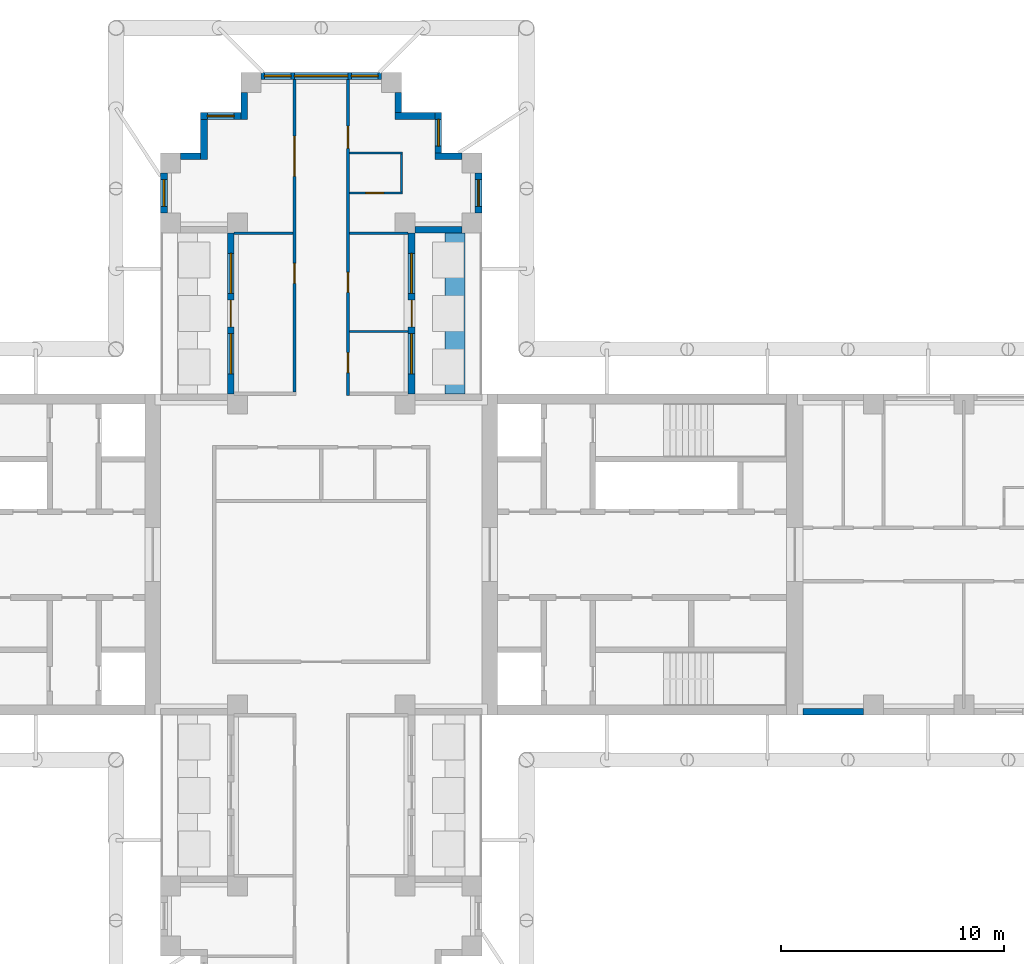
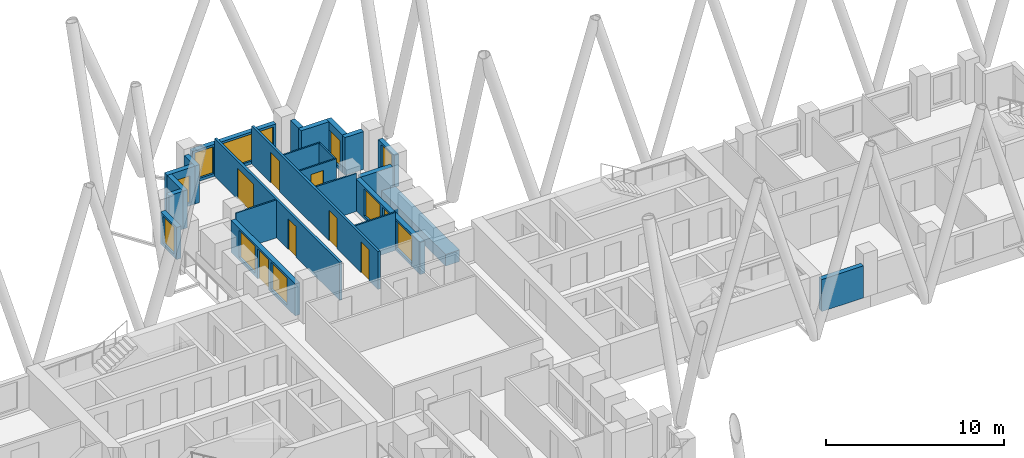
# One storey, part 7 of 12: 24 walls, 11 windows, 8 doors, 19 openings.
"""IFC4 building model written with IfcOpenShell, lengths in metres."""

from ifc_helpers import new_model, si_unit, direction, frame, frame_2d, origin, place, context, subcontext, project, spatial, rectangle, extrude, material, layer, layer_set, type_object, element, fill, save


model = new_model("IFC4")

# Units and contexts
model_context = context("Model", 3, precision=1e-05, world=origin(), true_north=direction((0.0, 1.0)))
body_context = subcontext(model_context, "Body", "Model", "MODEL_VIEW")
ifc_project = project(units=[si_unit("LENGTHUNIT", "METRE"), si_unit("AREAUNIT", "SQUARE_METRE"), si_unit("VOLUMEUNIT", "CUBIC_METRE"), si_unit("PLANEANGLEUNIT", "RADIAN"), si_unit("MASSUNIT", "GRAM", prefix="KILO")], contexts=[model_context])

# Site, building, storey
site_placement = place(None, origin())
site = spatial("IfcSite", under=ifc_project, at=site_placement, CompositionType="ELEMENT")
building_placement = place(site_placement, origin())
building = spatial("IfcBuilding", under=site, at=building_placement, Name="Fustian Cross Tower", CompositionType="ELEMENT")
storey_placement = place(building_placement, frame((0.0, 0.0, 141.300048828125)))
storey = spatial("IfcBuildingStorey", under=building, at=storey_placement, Name="L44", CompositionType="ELEMENT", Elevation=141.300048828125)

# Wall, openings, doors
ifc_material_1 = material(Name="Plasterboard on steel stud", Category="steel")
ifc_layer_1 = layer(ifc_material_1, 0.14990234375)
ifc_layer_set_1 = layer_set([ifc_layer_1], Name="Plasterboard on steel stud")
wall_type_1 = type_object("IfcWallType", Name="COMPARTMENT WALL 150 EI 60", PredefinedType="PARTITIONING", material=ifc_layer_set_1)
wall_1_placement = place(storey_placement, frame((-1.199951171875, 7.27490234375, 0.0), z_axis=(0.0, 0.0, 1.0), x_axis=(0.0, 1.0, 0.0)))
wall_1 = element("IfcWall", 1, at=wall_1_placement, inside=storey, type_object=wall_type_1, Name="Partition 21", PredefinedType="PARTITIONING", context=body_context, shape_type="SweptSolid", body=[
    extrude(rectangle(XDim=14.025146484375, YDim=0.14990234375, at=frame_2d((7.0126953125, 0.0))), origin(), (0.0, 0.0, 1.0), 2.599853515625),
])
opening_1_placement = place(wall_1_placement, frame((4.875, 0.0, 0.0)))
opening_1 = element("IfcOpeningElement", 2, at=opening_1_placement, cuts=wall_1, Name="Opening D20014", PredefinedType="OPENING", context=body_context, shape_type="SweptSolid", body=[
    extrude(rectangle(XDim=0.89990234375, YDim=2.10009765625, at=frame_2d((0.449951171875, 1.050048828125))), frame((0.0, 0.0849609375, 0.0), z_axis=(0.0, -1.0, 0.0), x_axis=(1.0, 0.0, 0.0)), (0.0, 0.0, 1.0), 0.169921875),
])
opening_2_placement = place(wall_1_placement, frame((9.675048828125, 0.0, 0.0)))
opening_2 = element("IfcOpeningElement", 3, at=opening_2_placement, cuts=wall_1, Name="Opening D20015", PredefinedType="OPENING", context=body_context, shape_type="SweptSolid", body=[
    extrude(rectangle(XDim=1.800048828125, YDim=2.10009765625, at=frame_2d((0.89990234375, 1.050048828125))), frame((0.0, 0.0849609375, 0.0), z_axis=(0.0, -1.0, 0.0), x_axis=(1.0, 0.0, 0.0)), (0.0, 0.0, 1.0), 0.169921875),
])
ifc_material_2 = material(Name="Timber fire door set", Category="wood")
door_type_1 = type_object("IfcDoorType", Name="FIRE DOUBLE DOOR 1800 FD30S", OperationType="DOUBLE_DOOR_DOUBLE_SWING", PredefinedType="DOOR", material=ifc_material_2)
door_1_placement = place(opening_2_placement, frame((1.800048828125, 0.0, 0.0), z_axis=(0.0, 0.0, 1.0), x_axis=(-1.0, 0.0, 0.0)))
door_1 = element("IfcDoor", 4, at=door_1_placement, inside=storey, type_object=door_type_1, Name="Door D20015", OperationType="DOUBLE_DOOR_DOUBLE_SWING", OverallHeight=2.10009765625, OverallWidth=1.800048828125, PredefinedType="DOOR", context=body_context, shape_type="SweptSolid", body=[
    extrude(rectangle(XDim=1.800048828125, YDim=2.10009765625, at=frame_2d((0.89990234375, 1.050048828125))), frame((0.0, 0.02490234375, 0.0), z_axis=(0.0, -1.0, 0.0), x_axis=(1.0, 0.0, 0.0)), (0.0, 0.0, 1.0), 0.050048828125),
])
fill(opening_2, door_1)
ifc_material_3 = material(Name="Timber fire door set", Category="wood")
door_type_2 = type_object("IfcDoorType", Name="FIRE SWING DOOR 900 FD30S", OperationType="SINGLE_SWING_LEFT", PredefinedType="DOOR", material=ifc_material_3)
door_2_placement = place(opening_1_placement, origin())
door_2 = element("IfcDoor", 5, at=door_2_placement, inside=storey, type_object=door_type_2, Name="Door D20014", OperationType="SINGLE_SWING_RIGHT", OverallHeight=2.10009765625, OverallWidth=0.89990234375, PredefinedType="DOOR", context=body_context, shape_type="SweptSolid", body=[
    extrude(rectangle(XDim=0.89990234375, YDim=2.10009765625, at=frame_2d((0.449951171875, 1.050048828125))), frame((0.0, 0.02490234375, 0.0), z_axis=(0.0, -1.0, 0.0), x_axis=(1.0, 0.0, 0.0)), (0.0, 0.0, 1.0), 0.050048828125),
])
fill(opening_1, door_2)

wall_2_placement = place(storey_placement, frame((1.199951171875, 7.125, 0.0), z_axis=(0.0, 0.0, 1.0), x_axis=(0.0, 1.0, 0.0)))
wall_2 = element("IfcWall", 6, at=wall_2_placement, inside=storey, type_object=wall_type_1, Name="Partition 27", PredefinedType="PARTITIONING", context=body_context, shape_type="SweptSolid", body=[
    extrude(rectangle(XDim=14.175048828125, YDim=0.14990234375, at=frame_2d((7.08740234375, 0.0))), origin(), (0.0, 0.0, 1.0), 2.599853515625),
])
opening_3_placement = place(wall_2_placement, frame((1.02490234375, 0.0, 0.0)))
opening_3 = element("IfcOpeningElement", 7, at=opening_3_placement, cuts=wall_2, Name="Opening D20016", PredefinedType="OPENING", context=body_context, shape_type="SweptSolid", body=[
    extrude(rectangle(XDim=0.89990234375, YDim=2.10009765625, at=frame_2d((0.449951171875, 1.050048828125))), frame((0.0, 0.0849609375, 0.0), z_axis=(0.0, -1.0, 0.0), x_axis=(1.0, 0.0, 0.0)), (0.0, 0.0, 1.0), 0.169921875),
])
opening_4_placement = place(wall_2_placement, frame((4.625, 0.0, 0.0)))
opening_4 = element("IfcOpeningElement", 8, at=opening_4_placement, cuts=wall_2, Name="Opening D20017", PredefinedType="OPENING", context=body_context, shape_type="SweptSolid", body=[
    extrude(rectangle(XDim=0.89990234375, YDim=2.10009765625, at=frame_2d((0.449951171875, 1.050048828125))), frame((0.0, 0.0849609375, 0.0), z_axis=(0.0, -1.0, 0.0), x_axis=(1.0, 0.0, 0.0)), (0.0, 0.0, 1.0), 0.169921875),
])
opening_5_placement = place(wall_2_placement, frame((11.074951171875, 0.0, 0.0)))
opening_5 = element("IfcOpeningElement", 9, at=opening_5_placement, cuts=wall_2, Name="Opening D20019", PredefinedType="OPENING", context=body_context, shape_type="SweptSolid", body=[
    extrude(rectangle(XDim=1.0, YDim=2.10009765625, at=frame_2d((0.5, 1.050048828125))), frame((0.0, 0.0849609375, 0.0), z_axis=(0.0, -1.0, 0.0), x_axis=(1.0, 0.0, 0.0)), (0.0, 0.0, 1.0), 0.169921875),
])
ifc_material_4 = material(Name="Timber fire door set", Category="wood")
door_type_3 = type_object("IfcDoorType", Name="FIRE SWING DOOR 1000 FD30S", OperationType="SINGLE_SWING_LEFT", PredefinedType="DOOR", material=ifc_material_4)
door_3_placement = place(opening_5_placement, frame((1.0, 0.0, 0.0), z_axis=(0.0, 0.0, 1.0), x_axis=(-1.0, 0.0, 0.0)))
door_3 = element("IfcDoor", 10, at=door_3_placement, inside=storey, type_object=door_type_3, Name="Door D20019", OperationType="SINGLE_SWING_RIGHT", OverallHeight=2.10009765625, OverallWidth=1.0, PredefinedType="DOOR", context=body_context, shape_type="SweptSolid", body=[
    extrude(rectangle(XDim=1.0, YDim=2.10009765625, at=frame_2d((0.5, 1.050048828125))), frame((0.0, 0.02490234375, 0.0), z_axis=(0.0, -1.0, 0.0), x_axis=(1.0, 0.0, 0.0)), (0.0, 0.0, 1.0), 0.050048828125),
])
fill(opening_5, door_3)
door_4_placement = place(opening_3_placement, frame((0.89990234375, 0.0, 0.0), z_axis=(0.0, 0.0, 1.0), x_axis=(-1.0, 0.0, 0.0)))
door_4 = element("IfcDoor", 11, at=door_4_placement, inside=storey, type_object=door_type_2, Name="Door D20016", OperationType="SINGLE_SWING_RIGHT", OverallHeight=2.10009765625, OverallWidth=0.89990234375, PredefinedType="DOOR", context=body_context, shape_type="SweptSolid", body=[
    extrude(rectangle(XDim=0.89990234375, YDim=2.10009765625, at=frame_2d((0.449951171875, 1.050048828125))), frame((0.0, 0.02490234375, 0.0), z_axis=(0.0, -1.0, 0.0), x_axis=(1.0, 0.0, 0.0)), (0.0, 0.0, 1.0), 0.050048828125),
])
fill(opening_3, door_4)
door_5_placement = place(opening_4_placement, frame((0.89990234375, 0.0, 0.0), z_axis=(0.0, 0.0, 1.0), x_axis=(-1.0, 0.0, 0.0)))
door_5 = element("IfcDoor", 12, at=door_5_placement, inside=storey, type_object=door_type_2, Name="Door D20017", OperationType="SINGLE_SWING_RIGHT", OverallHeight=2.10009765625, OverallWidth=0.89990234375, PredefinedType="DOOR", context=body_context, shape_type="SweptSolid", body=[
    extrude(rectangle(XDim=0.89990234375, YDim=2.10009765625, at=frame_2d((0.449951171875, 1.050048828125))), frame((0.0, 0.02490234375, 0.0), z_axis=(0.0, -1.0, 0.0), x_axis=(1.0, 0.0, 0.0)), (0.0, 0.0, 1.0), 0.050048828125),
])
fill(opening_4, door_5)

# Walls
ifc_material_5 = material(Name="Plasterboard on steel stud", Category="steel")
ifc_layer_2 = layer(ifc_material_5, 0.10009765625)
ifc_layer_set_2 = layer_set([ifc_layer_2], Name="Plasterboard on steel stud")
wall_type_2 = type_object("IfcWallType", Name="PARTITION 100 STUD", PredefinedType="PARTITIONING", material=ifc_layer_set_2)
for number, where, z_axis, x_axis, name in (
    (13, (-3.89990234375, 14.39990234375, 0.0), (0.0, 0.0, 1.0), (1.0, 0.0, 0.0), "Partition 19"),
    (14, (1.27490234375, 10.0, 0.0), (0.0, 0.0, 1.0), (1.0, 0.0, 0.0), "Partition 29"),
    (15, (1.27490234375, 14.39990234375, 0.0), (0.0, 0.0, 1.0), (1.0, 0.0, 0.0), "Partition 30"),
):
    element("IfcWall", number, at=place(storey_placement, frame(where, z_axis=z_axis, x_axis=x_axis)), inside=storey, type_object=wall_type_2, Name=name, PredefinedType="PARTITIONING", context=body_context, shape_type="SweptSolid", body=[
        extrude(rectangle(XDim=2.625, YDim=0.10009765625, at=frame_2d((1.3125, 0.0))), origin(), (0.0, 0.0, 1.0), 2.599853515625),
    ])

# Wall, opening, door
wall_3_placement = place(storey_placement, frame((1.27490234375, 16.199951171875, 0.0), z_axis=(0.0, 0.0, 1.0), x_axis=(1.0, 0.0, 0.0)))
wall_3 = element("IfcWall", 16, at=wall_3_placement, inside=storey, type_object=wall_type_2, Name="Partition 31", PredefinedType="PARTITIONING", context=body_context, shape_type="SweptSolid", body=[
    extrude(rectangle(XDim=2.375, YDim=0.10009765625, at=frame_2d((1.1875, 0.0))), origin(), (0.0, 0.0, 1.0), 2.599853515625),
])
opening_6_placement = place(wall_3_placement, frame((0.72509765625, 0.0, 0.0)))
opening_6 = element("IfcOpeningElement", 17, at=opening_6_placement, cuts=wall_3, Name="Opening D20018", PredefinedType="OPENING", context=body_context, shape_type="SweptSolid", body=[
    extrude(rectangle(XDim=0.800048828125, YDim=2.10009765625, at=frame_2d((0.39990234375, 1.050048828125))), frame((0.0, 0.06005859375, 0.0), z_axis=(0.0, -1.0, 0.0), x_axis=(1.0, 0.0, 0.0)), (0.0, 0.0, 1.0), 0.1201171875),
])
ifc_material_6 = material(Name="Painted timber", Category="wood")
door_type_4 = type_object("IfcDoorType", Name="SWING DOOR 800", OperationType="SINGLE_SWING_LEFT", PredefinedType="DOOR", material=ifc_material_6)
door_6_placement = place(opening_6_placement, origin())
door_6 = element("IfcDoor", 18, at=door_6_placement, inside=storey, type_object=door_type_4, Name="Door D20018", OperationType="SINGLE_SWING_LEFT", OverallHeight=2.10009765625, OverallWidth=0.800048828125, PredefinedType="DOOR", context=body_context, shape_type="SweptSolid", body=[
    extrude(rectangle(XDim=0.800048828125, YDim=2.10009765625, at=frame_2d((0.39990234375, 1.050048828125))), frame((0.0, 0.02490234375, 0.0), z_axis=(0.0, -1.0, 0.0), x_axis=(1.0, 0.0, 0.0)), (0.0, 0.0, 1.0), 0.050048828125),
])
fill(opening_6, door_6)

# Walls
wall_4_placement = place(storey_placement, frame((1.27490234375, 18.0, 0.0), z_axis=(0.0, 0.0, 1.0), x_axis=(1.0, 0.0, 0.0)))
element("IfcWall", 19, at=wall_4_placement, inside=storey, type_object=wall_type_2, Name="Partition 32", PredefinedType="PARTITIONING", context=body_context, shape_type="SweptSolid", body=[
    extrude(rectangle(XDim=2.375, YDim=0.10009765625, at=frame_2d((1.1875, 0.0))), origin(), (0.0, 0.0, 1.0), 2.599853515625),
])
wall_5_placement = place(storey_placement, frame((3.60009765625, 16.25, 0.0), z_axis=(0.0, 0.0, 1.0), x_axis=(0.0, 1.0, 0.0)))
element("IfcWall", 20, at=wall_5_placement, inside=storey, type_object=wall_type_2, Name="Partition 34", PredefinedType="PARTITIONING", context=body_context, shape_type="SweptSolid", body=[
    extrude(rectangle(XDim=1.699951171875, YDim=0.10009765625, at=frame_2d((0.85009765625, 0.0))), origin(), (0.0, 0.0, 1.0), 2.599853515625),
])
ifc_material_7 = material(Name="Concrete C40/50", Category="concrete")
ifc_layer_3 = layer(ifc_material_7, 0.89990234375)
ifc_layer_set_3 = layer_set([ifc_layer_3], Name="Concrete C40/50")
wall_type_3 = type_object("IfcWallType", Name="PK1 PLANTER 900", PredefinedType="PARAPET", material=ifc_layer_set_3)
wall_6_placement = place(storey_placement, frame((6.0, 7.199951171875, 0.0), z_axis=(0.0, 0.0, 1.0), x_axis=(0.0, 1.0, 0.0)))
element("IfcWall", 21, at=wall_6_placement, inside=storey, type_object=wall_type_3, Name="PLANTER", PredefinedType="PARAPET", context=body_context, shape_type="SweptSolid", body=[
    extrude(rectangle(XDim=7.199951171875, YDim=0.89990234375, at=frame_2d((3.60009765625, 0.0))), origin(), (0.0, 0.0, 1.0), 0.800048828125),
])
ifc_material_8 = material(Name="Dark aluminium cladding on insulated backing wall", Category="aluminium")
ifc_layer_4 = layer(ifc_material_8, 0.300048828125)
ifc_layer_set_4 = layer_set([ifc_layer_4], Name="Dark aluminium cladding on insulated backing wall")
wall_type_4 = type_object("IfcWallType", Name="XW1 EXTERNAL WALL 300", PredefinedType="SOLIDWALL", material=ifc_layer_set_4)
wall_7_placement = place(storey_placement, frame((21.60009765625, -7.050048828125, 0.0), z_axis=(0.0, 0.0, 1.0), x_axis=(1.0, 0.0, 0.0)))
element("IfcWall", 22, at=wall_7_placement, inside=storey, type_object=wall_type_4, Name="External wall", PredefinedType="SOLIDWALL", context=body_context, shape_type="SweptSolid", body=[
    extrude(rectangle(XDim=2.699951171875, YDim=0.300048828125, at=frame_2d((1.35009765625, 0.0))), origin(), (0.0, 0.0, 1.0), 2.199951171875),
])

# Wall, openings, door, windows
wall_8_placement = place(storey_placement, frame((4.050048828125, 7.199951171875, 0.0), z_axis=(0.0, 0.0, 1.0), x_axis=(0.0, 1.0, 0.0)))
wall_8 = element("IfcWall", 23, at=wall_8_placement, inside=storey, type_object=wall_type_4, Name="External wall", PredefinedType="SOLIDWALL", context=body_context, shape_type="SweptSolid", body=[
    extrude(rectangle(XDim=7.199951171875, YDim=0.300048828125, at=frame_2d((3.60009765625, 0.0))), origin(), (0.0, 0.0, 1.0), 2.199951171875),
])
opening_7_placement = place(wall_8_placement, frame((3.0, 0.0, 0.0)))
opening_7 = element("IfcOpeningElement", 24, at=opening_7_placement, cuts=wall_8, Name="Opening XD1", PredefinedType="OPENING", context=body_context, shape_type="SweptSolid", body=[
    extrude(rectangle(XDim=1.199951171875, YDim=2.050048828125, at=frame_2d((0.60009765625, 1.02490234375))), frame((0.0, 0.159912109375, 0.0), z_axis=(0.0, -1.0, 0.0), x_axis=(1.0, 0.0, 0.0)), (0.0, 0.0, 1.0), 0.320068359375),
])
opening_8_placement = place(wall_8_placement, frame((0.89990234375, 0.0, 0.199951171875)))
opening_8 = element("IfcOpeningElement", 25, at=opening_8_placement, cuts=wall_8, Name="Opening WN2", PredefinedType="OPENING", context=body_context, shape_type="SweptSolid", body=[
    extrude(rectangle(XDim=1.800048828125, YDim=1.85009765625, at=frame_2d((0.89990234375, 0.925048828125))), frame((0.0, 0.159912109375, 0.0), z_axis=(0.0, -1.0, 0.0), x_axis=(1.0, 0.0, 0.0)), (0.0, 0.0, 1.0), 0.320068359375),
])
opening_9_placement = place(wall_8_placement, frame((4.5, 0.0, 0.199951171875)))
opening_9 = element("IfcOpeningElement", 26, at=opening_9_placement, cuts=wall_8, Name="Opening WN2", PredefinedType="OPENING", context=body_context, shape_type="SweptSolid", body=[
    extrude(rectangle(XDim=1.800048828125, YDim=1.85009765625, at=frame_2d((0.89990234375, 0.925048828125))), frame((0.0, 0.159912109375, 0.0), z_axis=(0.0, -1.0, 0.0), x_axis=(1.0, 0.0, 0.0)), (0.0, 0.0, 1.0), 0.320068359375),
])
ifc_material_9 = material(Name="Dark anodised aluminium and double glazing", Category="aluminium")
door_type_5 = type_object("IfcDoorType", Name="ED1 BALCONY DOOR 1200X2050", OperationType="SINGLE_SWING_LEFT", PredefinedType="DOOR", material=ifc_material_9)
door_7_placement = place(opening_7_placement, origin())
door_7 = element("IfcDoor", 27, at=door_7_placement, inside=storey, type_object=door_type_5, Name="Balcony door", OperationType="SINGLE_SWING_LEFT", OverallHeight=2.050048828125, OverallWidth=1.199951171875, PredefinedType="DOOR", context=body_context, shape_type="SweptSolid", body=[
    extrude(rectangle(XDim=1.199951171875, YDim=2.050048828125, at=frame_2d((0.60009765625, 1.02490234375))), frame((0.0, 0.02490234375, 0.0), z_axis=(0.0, -1.0, 0.0), x_axis=(1.0, 0.0, 0.0)), (0.0, 0.0, 1.0), 0.050048828125),
])
fill(opening_7, door_7)
ifc_material_10 = material(Name="Dark anodised aluminium and double glazing", Category="aluminium")
window_type_1 = type_object("IfcWindowType", Name="WN2 WINDOW 1800X1850", PartitioningType="SINGLE_PANEL", PredefinedType="WINDOW", material=ifc_material_10)
window_1_placement = place(opening_8_placement, origin())
window_1 = element("IfcWindow", 28, at=window_1_placement, inside=storey, type_object=window_type_1, Name="Window", OverallHeight=1.85009765625, OverallWidth=1.800048828125, PartitioningType="SINGLE_PANEL", PredefinedType="WINDOW", context=body_context, shape_type="SweptSolid", body=[
    extrude(rectangle(XDim=1.800048828125, YDim=1.85009765625, at=frame_2d((0.89990234375, 0.925048828125))), frame((0.0, 0.030029296875, 0.0), z_axis=(0.0, -1.0, 0.0), x_axis=(1.0, 0.0, 0.0)), (0.0, 0.0, 1.0), 0.06005859375),
])
fill(opening_8, window_1)
window_2_placement = place(opening_9_placement, origin())
window_2 = element("IfcWindow", 29, at=window_2_placement, inside=storey, type_object=window_type_1, Name="Window", OverallHeight=1.85009765625, OverallWidth=1.800048828125, PartitioningType="SINGLE_PANEL", PredefinedType="WINDOW", context=body_context, shape_type="SweptSolid", body=[
    extrude(rectangle(XDim=1.800048828125, YDim=1.85009765625, at=frame_2d((0.89990234375, 0.925048828125))), frame((0.0, 0.030029296875, 0.0), z_axis=(0.0, -1.0, 0.0), x_axis=(1.0, 0.0, 0.0)), (0.0, 0.0, 1.0), 0.06005859375),
])
fill(opening_9, window_2)

# Wall
wall_9_placement = place(storey_placement, frame((4.199951171875, 14.550048828125, 0.0), z_axis=(0.0, 0.0, 1.0), x_axis=(1.0, 0.0, 0.0)))
element("IfcWall", 30, at=wall_9_placement, inside=storey, type_object=wall_type_4, Name="External wall", PredefinedType="SOLIDWALL", context=body_context, shape_type="SweptSolid", body=[
    extrude(rectangle(XDim=2.10009765625, YDim=0.300048828125, at=frame_2d((1.050048828125, 0.0))), origin(), (0.0, 0.0, 1.0), 2.199951171875),
])

# Wall, opening, window
wall_10_placement = place(storey_placement, frame((7.050048828125, 15.300048828125, 0.0), z_axis=(0.0, 0.0, 1.0), x_axis=(0.0, 1.0, 0.0)))
wall_10 = element("IfcWall", 31, at=wall_10_placement, inside=storey, type_object=wall_type_4, Name="External wall", PredefinedType="SOLIDWALL", context=body_context, shape_type="SweptSolid", body=[
    extrude(rectangle(XDim=1.800048828125, YDim=0.300048828125, at=frame_2d((0.89990234375, 0.0))), origin(), (0.0, 0.0, 1.0), 2.199951171875),
])
opening_10_placement = place(wall_10_placement, frame((0.300048828125, 0.0, 0.199951171875)))
opening_10 = element("IfcOpeningElement", 32, at=opening_10_placement, cuts=wall_10, Name="Opening WN3", PredefinedType="OPENING", context=body_context, shape_type="SweptSolid", body=[
    extrude(rectangle(XDim=1.199951171875, YDim=1.85009765625, at=frame_2d((0.60009765625, 0.925048828125))), frame((0.0, 0.159912109375, 0.0), z_axis=(0.0, -1.0, 0.0), x_axis=(1.0, 0.0, 0.0)), (0.0, 0.0, 1.0), 0.320068359375),
])
ifc_material_11 = material(Name="Dark anodised aluminium and double glazing", Category="aluminium")
window_type_2 = type_object("IfcWindowType", Name="WN3 WINDOW 1200X1850", PartitioningType="SINGLE_PANEL", PredefinedType="WINDOW", material=ifc_material_11)
window_3_placement = place(opening_10_placement, origin())
window_3 = element("IfcWindow", 33, at=window_3_placement, inside=storey, type_object=window_type_2, Name="Window", OverallHeight=1.85009765625, OverallWidth=1.199951171875, PartitioningType="SINGLE_PANEL", PredefinedType="WINDOW", context=body_context, shape_type="SweptSolid", body=[
    extrude(rectangle(XDim=1.199951171875, YDim=1.85009765625, at=frame_2d((0.60009765625, 0.925048828125))), frame((0.0, 0.030029296875, 0.0), z_axis=(0.0, -1.0, 0.0), x_axis=(1.0, 0.0, 0.0)), (0.0, 0.0, 1.0), 0.06005859375),
])
fill(opening_10, window_3)

# Wall
wall_11_placement = place(storey_placement, frame((6.300048828125, 17.85009765625, 0.0), z_axis=(0.0, 0.0, 1.0), x_axis=(-1.0, 0.0, 0.0)))
element("IfcWall", 34, at=wall_11_placement, inside=storey, type_object=wall_type_4, Name="External wall", PredefinedType="SOLIDWALL", context=body_context, shape_type="SweptSolid", body=[
    extrude(rectangle(XDim=1.199951171875, YDim=0.300048828125, at=frame_2d((0.60009765625, 0.0))), origin(), (0.0, 0.0, 1.0), 2.599853515625),
])

# Wall, opening, window
wall_12_placement = place(storey_placement, frame((5.25, 18.0, 0.0), z_axis=(0.0, 0.0, 1.0), x_axis=(0.0, 1.0, 0.0)))
wall_12 = element("IfcWall", 35, at=wall_12_placement, inside=storey, type_object=wall_type_4, Name="External wall", PredefinedType="SOLIDWALL", context=body_context, shape_type="SweptSolid", body=[
    extrude(rectangle(XDim=1.800048828125, YDim=0.300048828125, at=frame_2d((0.89990234375, 0.0))), origin(), (0.0, 0.0, 1.0), 2.599853515625),
])
opening_11_placement = place(wall_12_placement, frame((0.300048828125, 0.0, 0.199951171875)))
opening_11 = element("IfcOpeningElement", 36, at=opening_11_placement, cuts=wall_12, Name="Opening WN3", PredefinedType="OPENING", context=body_context, shape_type="SweptSolid", body=[
    extrude(rectangle(XDim=1.199951171875, YDim=1.85009765625, at=frame_2d((0.60009765625, 0.925048828125))), frame((0.0, 0.159912109375, 0.0), z_axis=(0.0, -1.0, 0.0), x_axis=(1.0, 0.0, 0.0)), (0.0, 0.0, 1.0), 0.320068359375),
])
window_4_placement = place(opening_11_placement, origin())
window_4 = element("IfcWindow", 37, at=window_4_placement, inside=storey, type_object=window_type_2, Name="Window", OverallHeight=1.85009765625, OverallWidth=1.199951171875, PartitioningType="SINGLE_PANEL", PredefinedType="WINDOW", context=body_context, shape_type="SweptSolid", body=[
    extrude(rectangle(XDim=1.199951171875, YDim=1.85009765625, at=frame_2d((0.60009765625, 0.925048828125))), frame((0.0, 0.030029296875, 0.0), z_axis=(0.0, -1.0, 0.0), x_axis=(1.0, 0.0, 0.0)), (0.0, 0.0, 1.0), 0.06005859375),
])
fill(opening_11, window_4)

# Walls
wall_13_placement = place(storey_placement, frame((5.10009765625, 19.64990234375, 0.0), z_axis=(0.0, 0.0, 1.0), x_axis=(-1.0, 0.0, 0.0)))
element("IfcWall", 38, at=wall_13_placement, inside=storey, type_object=wall_type_4, Name="External wall", PredefinedType="SOLIDWALL", context=body_context, shape_type="SweptSolid", body=[
    extrude(rectangle(XDim=1.800048828125, YDim=0.300048828125, at=frame_2d((0.89990234375, 0.0))), origin(), (0.0, 0.0, 1.0), 2.599853515625),
])
wall_14_placement = place(storey_placement, frame((3.449951171875, 19.800048828125, 0.0), z_axis=(0.0, 0.0, 1.0), x_axis=(0.0, 1.0, 0.0)))
element("IfcWall", 39, at=wall_14_placement, inside=storey, type_object=wall_type_4, Name="External wall", PredefinedType="SOLIDWALL", context=body_context, shape_type="SweptSolid", body=[
    extrude(rectangle(XDim=0.89990234375, YDim=0.300048828125, at=frame_2d((0.449951171875, 0.0))), origin(), (0.0, 0.0, 1.0), 2.599853515625),
])

# Wall, openings, windows
wall_15_placement = place(storey_placement, frame((2.699951171875, 21.449951171875, 0.0), z_axis=(0.0, 0.0, 1.0), x_axis=(-1.0, 0.0, 0.0)))
wall_15 = element("IfcWall", 40, at=wall_15_placement, inside=storey, type_object=wall_type_4, Name="External wall", PredefinedType="SOLIDWALL", context=body_context, shape_type="SweptSolid", body=[
    extrude(rectangle(XDim=5.39990234375, YDim=0.300048828125, at=frame_2d((2.699951171875, 0.0))), origin(), (0.0, 0.0, 1.0), 2.199951171875),
])
opening_12_placement = place(wall_15_placement, frame((1.5, 0.0, 0.199951171875)))
opening_12 = element("IfcOpeningElement", 41, at=opening_12_placement, cuts=wall_15, Name="Opening WN1", PredefinedType="OPENING", context=body_context, shape_type="SweptSolid", body=[
    extrude(rectangle(XDim=2.39990234375, YDim=1.85009765625, at=frame_2d((1.199951171875, 0.925048828125))), frame((0.0, 0.159912109375, 0.0), z_axis=(0.0, -1.0, 0.0), x_axis=(1.0, 0.0, 0.0)), (0.0, 0.0, 1.0), 0.320068359375),
])
opening_13_placement = place(wall_15_placement, frame((0.14990234375, 0.0, 0.199951171875)))
opening_13 = element("IfcOpeningElement", 42, at=opening_13_placement, cuts=wall_15, Name="Opening WN3", PredefinedType="OPENING", context=body_context, shape_type="SweptSolid", body=[
    extrude(rectangle(XDim=1.199951171875, YDim=1.85009765625, at=frame_2d((0.60009765625, 0.925048828125))), frame((0.0, 0.159912109375, 0.0), z_axis=(0.0, -1.0, 0.0), x_axis=(1.0, 0.0, 0.0)), (0.0, 0.0, 1.0), 0.320068359375),
])
opening_14_placement = place(wall_15_placement, frame((4.050048828125, 0.0, 0.199951171875)))
opening_14 = element("IfcOpeningElement", 43, at=opening_14_placement, cuts=wall_15, Name="Opening WN3", PredefinedType="OPENING", context=body_context, shape_type="SweptSolid", body=[
    extrude(rectangle(XDim=1.199951171875, YDim=1.85009765625, at=frame_2d((0.60009765625, 0.925048828125))), frame((0.0, 0.159912109375, 0.0), z_axis=(0.0, -1.0, 0.0), x_axis=(1.0, 0.0, 0.0)), (0.0, 0.0, 1.0), 0.320068359375),
])
ifc_material_12 = material(Name="Dark anodised aluminium and double glazing", Category="aluminium")
window_type_3 = type_object("IfcWindowType", Name="WN1 WINDOW 2400X1850", PartitioningType="SINGLE_PANEL", PredefinedType="WINDOW", material=ifc_material_12)
window_5_placement = place(opening_12_placement, origin())
window_5 = element("IfcWindow", 44, at=window_5_placement, inside=storey, type_object=window_type_3, Name="Window", OverallHeight=1.85009765625, OverallWidth=2.39990234375, PartitioningType="SINGLE_PANEL", PredefinedType="WINDOW", context=body_context, shape_type="SweptSolid", body=[
    extrude(rectangle(XDim=2.39990234375, YDim=1.85009765625, at=frame_2d((1.199951171875, 0.925048828125))), frame((0.0, 0.030029296875, 0.0), z_axis=(0.0, -1.0, 0.0), x_axis=(1.0, 0.0, 0.0)), (0.0, 0.0, 1.0), 0.06005859375),
])
fill(opening_12, window_5)
window_6_placement = place(opening_13_placement, origin())
window_6 = element("IfcWindow", 45, at=window_6_placement, inside=storey, type_object=window_type_2, Name="Window", OverallHeight=1.85009765625, OverallWidth=1.199951171875, PartitioningType="SINGLE_PANEL", PredefinedType="WINDOW", context=body_context, shape_type="SweptSolid", body=[
    extrude(rectangle(XDim=1.199951171875, YDim=1.85009765625, at=frame_2d((0.60009765625, 0.925048828125))), frame((0.0, 0.030029296875, 0.0), z_axis=(0.0, -1.0, 0.0), x_axis=(1.0, 0.0, 0.0)), (0.0, 0.0, 1.0), 0.06005859375),
])
fill(opening_13, window_6)
window_7_placement = place(opening_14_placement, origin())
window_7 = element("IfcWindow", 46, at=window_7_placement, inside=storey, type_object=window_type_2, Name="Window", OverallHeight=1.85009765625, OverallWidth=1.199951171875, PartitioningType="SINGLE_PANEL", PredefinedType="WINDOW", context=body_context, shape_type="SweptSolid", body=[
    extrude(rectangle(XDim=1.199951171875, YDim=1.85009765625, at=frame_2d((0.60009765625, 0.925048828125))), frame((0.0, 0.030029296875, 0.0), z_axis=(0.0, -1.0, 0.0), x_axis=(1.0, 0.0, 0.0)), (0.0, 0.0, 1.0), 0.06005859375),
])
fill(opening_14, window_7)

# Wall
wall_16_placement = place(storey_placement, frame((-3.449951171875, 20.699951171875, 0.0), z_axis=(0.0, 0.0, 1.0), x_axis=(0.0, -1.0, 0.0)))
element("IfcWall", 47, at=wall_16_placement, inside=storey, type_object=wall_type_4, Name="External wall", PredefinedType="SOLIDWALL", context=body_context, shape_type="SweptSolid", body=[
    extrude(rectangle(XDim=1.199951171875, YDim=0.300048828125, at=frame_2d((0.60009765625, 0.0))), origin(), (0.0, 0.0, 1.0), 2.599853515625),
])

# Wall, opening, window
wall_17_placement = place(storey_placement, frame((-3.60009765625, 19.64990234375, 0.0), z_axis=(0.0, 0.0, 1.0), x_axis=(-1.0, 0.0, 0.0)))
wall_17 = element("IfcWall", 48, at=wall_17_placement, inside=storey, type_object=wall_type_4, Name="External wall", PredefinedType="SOLIDWALL", context=body_context, shape_type="SweptSolid", body=[
    extrude(rectangle(XDim=1.7998046875, YDim=0.300048828125, at=frame_2d((0.89990234375, 0.0))), origin(), (0.0, 0.0, 1.0), 2.599853515625),
])
opening_15_placement = place(wall_17_placement, frame((0.300048828125, 0.0, 0.199951171875)))
opening_15 = element("IfcOpeningElement", 49, at=opening_15_placement, cuts=wall_17, Name="Opening WN3", PredefinedType="OPENING", context=body_context, shape_type="SweptSolid", body=[
    extrude(rectangle(XDim=1.199951171875, YDim=1.85009765625, at=frame_2d((0.60009765625, 0.925048828125))), frame((0.0, 0.159912109375, 0.0), z_axis=(0.0, -1.0, 0.0), x_axis=(1.0, 0.0, 0.0)), (0.0, 0.0, 1.0), 0.320068359375),
])
window_8_placement = place(opening_15_placement, origin())
window_8 = element("IfcWindow", 50, at=window_8_placement, inside=storey, type_object=window_type_2, Name="Window", OverallHeight=1.85009765625, OverallWidth=1.199951171875, PartitioningType="SINGLE_PANEL", PredefinedType="WINDOW", context=body_context, shape_type="SweptSolid", body=[
    extrude(rectangle(XDim=1.199951171875, YDim=1.85009765625, at=frame_2d((0.60009765625, 0.925048828125))), frame((0.0, 0.030029296875, 0.0), z_axis=(0.0, -1.0, 0.0), x_axis=(1.0, 0.0, 0.0)), (0.0, 0.0, 1.0), 0.06005859375),
])
fill(opening_15, window_8)

# Walls
wall_18_placement = place(storey_placement, frame((-5.25, 19.5, 0.0), z_axis=(0.0, 0.0, 1.0), x_axis=(0.0, -1.0, 0.0)))
element("IfcWall", 51, at=wall_18_placement, inside=storey, type_object=wall_type_4, Name="External wall", PredefinedType="SOLIDWALL", context=body_context, shape_type="SweptSolid", body=[
    extrude(rectangle(XDim=1.800048828125, YDim=0.300048828125, at=frame_2d((0.89990234375, 0.0))), origin(), (0.0, 0.0, 1.0), 2.599853515625),
])
wall_19_placement = place(storey_placement, frame((-5.39990234375, 17.85009765625, 0.0), z_axis=(0.0, 0.0, 1.0), x_axis=(-1.0, 0.0, 0.0)))
element("IfcWall", 52, at=wall_19_placement, inside=storey, type_object=wall_type_4, Name="External wall", PredefinedType="SOLIDWALL", context=body_context, shape_type="SweptSolid", body=[
    extrude(rectangle(XDim=0.900146484375, YDim=0.300048828125, at=frame_2d((0.4501953125, 0.0))), origin(), (0.0, 0.0, 1.0), 2.599853515625),
])

# Wall, opening, window
wall_20_placement = place(storey_placement, frame((-7.050048828125, 17.10009765625, 0.0), z_axis=(0.0, 0.0, 1.0), x_axis=(0.0, -1.0, 0.0)))
wall_20 = element("IfcWall", 53, at=wall_20_placement, inside=storey, type_object=wall_type_4, Name="External wall", PredefinedType="SOLIDWALL", context=body_context, shape_type="SweptSolid", body=[
    extrude(rectangle(XDim=1.800048828125, YDim=0.300048828125, at=frame_2d((0.89990234375, 0.0))), origin(), (0.0, 0.0, 1.0), 2.199951171875),
])
opening_16_placement = place(wall_20_placement, frame((0.300048828125, 0.0, 0.199951171875)))
opening_16 = element("IfcOpeningElement", 54, at=opening_16_placement, cuts=wall_20, Name="Opening WN3", PredefinedType="OPENING", context=body_context, shape_type="SweptSolid", body=[
    extrude(rectangle(XDim=1.199951171875, YDim=1.85009765625, at=frame_2d((0.60009765625, 0.925048828125))), frame((0.0, 0.159912109375, 0.0), z_axis=(0.0, -1.0, 0.0), x_axis=(1.0, 0.0, 0.0)), (0.0, 0.0, 1.0), 0.320068359375),
])
window_9_placement = place(opening_16_placement, origin())
window_9 = element("IfcWindow", 55, at=window_9_placement, inside=storey, type_object=window_type_2, Name="Window", OverallHeight=1.85009765625, OverallWidth=1.199951171875, PartitioningType="SINGLE_PANEL", PredefinedType="WINDOW", context=body_context, shape_type="SweptSolid", body=[
    extrude(rectangle(XDim=1.199951171875, YDim=1.85009765625, at=frame_2d((0.60009765625, 0.925048828125))), frame((0.0, 0.030029296875, 0.0), z_axis=(0.0, -1.0, 0.0), x_axis=(1.0, 0.0, 0.0)), (0.0, 0.0, 1.0), 0.06005859375),
])
fill(opening_16, window_9)

# Wall, openings, door, windows
wall_21_placement = place(storey_placement, frame((-4.050048828125, 14.39990234375, 0.0), z_axis=(0.0, 0.0, 1.0), x_axis=(0.0, -1.0, 0.0)))
wall_21 = element("IfcWall", 56, at=wall_21_placement, inside=storey, type_object=wall_type_4, Name="External wall", PredefinedType="SOLIDWALL", context=body_context, shape_type="SweptSolid", body=[
    extrude(rectangle(XDim=7.199951171875, YDim=0.300048828125, at=frame_2d((3.60009765625, 0.0))), origin(), (0.0, 0.0, 1.0), 2.199951171875),
])
opening_17_placement = place(wall_21_placement, frame((3.0, 0.0, 0.0)))
opening_17 = element("IfcOpeningElement", 57, at=opening_17_placement, cuts=wall_21, Name="Opening XD2", PredefinedType="OPENING", context=body_context, shape_type="SweptSolid", body=[
    extrude(rectangle(XDim=1.199951171875, YDim=2.050048828125, at=frame_2d((0.60009765625, 1.02490234375))), frame((0.0, 0.159912109375, 0.0), z_axis=(0.0, -1.0, 0.0), x_axis=(1.0, 0.0, 0.0)), (0.0, 0.0, 1.0), 0.320068359375),
])
opening_18_placement = place(wall_21_placement, frame((0.89990234375, 0.0, 0.199951171875)))
opening_18 = element("IfcOpeningElement", 58, at=opening_18_placement, cuts=wall_21, Name="Opening WN2", PredefinedType="OPENING", context=body_context, shape_type="SweptSolid", body=[
    extrude(rectangle(XDim=1.800048828125, YDim=1.85009765625, at=frame_2d((0.89990234375, 0.925048828125))), frame((0.0, 0.159912109375, 0.0), z_axis=(0.0, -1.0, 0.0), x_axis=(1.0, 0.0, 0.0)), (0.0, 0.0, 1.0), 0.320068359375),
])
opening_19_placement = place(wall_21_placement, frame((4.5, 0.0, 0.199951171875)))
opening_19 = element("IfcOpeningElement", 59, at=opening_19_placement, cuts=wall_21, Name="Opening WN2", PredefinedType="OPENING", context=body_context, shape_type="SweptSolid", body=[
    extrude(rectangle(XDim=1.800048828125, YDim=1.85009765625, at=frame_2d((0.89990234375, 0.925048828125))), frame((0.0, 0.159912109375, 0.0), z_axis=(0.0, -1.0, 0.0), x_axis=(1.0, 0.0, 0.0)), (0.0, 0.0, 1.0), 0.320068359375),
])
door_8_placement = place(opening_17_placement, origin())
door_8 = element("IfcDoor", 60, at=door_8_placement, inside=storey, type_object=door_type_5, Name="Balcony door", OperationType="SINGLE_SWING_LEFT", OverallHeight=2.050048828125, OverallWidth=1.199951171875, PredefinedType="DOOR", context=body_context, shape_type="SweptSolid", body=[
    extrude(rectangle(XDim=1.199951171875, YDim=2.050048828125, at=frame_2d((0.60009765625, 1.02490234375))), frame((0.0, 0.02490234375, 0.0), z_axis=(0.0, -1.0, 0.0), x_axis=(1.0, 0.0, 0.0)), (0.0, 0.0, 1.0), 0.050048828125),
])
fill(opening_17, door_8)
window_10_placement = place(opening_18_placement, origin())
window_10 = element("IfcWindow", 61, at=window_10_placement, inside=storey, type_object=window_type_1, Name="Window", OverallHeight=1.85009765625, OverallWidth=1.800048828125, PartitioningType="SINGLE_PANEL", PredefinedType="WINDOW", context=body_context, shape_type="SweptSolid", body=[
    extrude(rectangle(XDim=1.800048828125, YDim=1.85009765625, at=frame_2d((0.89990234375, 0.925048828125))), frame((0.0, 0.030029296875, 0.0), z_axis=(0.0, -1.0, 0.0), x_axis=(1.0, 0.0, 0.0)), (0.0, 0.0, 1.0), 0.06005859375),
])
fill(opening_18, window_10)
window_11_placement = place(opening_19_placement, origin())
window_11 = element("IfcWindow", 62, at=window_11_placement, inside=storey, type_object=window_type_1, Name="Window", OverallHeight=1.85009765625, OverallWidth=1.800048828125, PartitioningType="SINGLE_PANEL", PredefinedType="WINDOW", context=body_context, shape_type="SweptSolid", body=[
    extrude(rectangle(XDim=1.800048828125, YDim=1.85009765625, at=frame_2d((0.89990234375, 0.925048828125))), frame((0.0, 0.030029296875, 0.0), z_axis=(0.0, -1.0, 0.0), x_axis=(1.0, 0.0, 0.0)), (0.0, 0.0, 1.0), 0.06005859375),
])
fill(opening_19, window_11)

save(model, "model.ifc")
